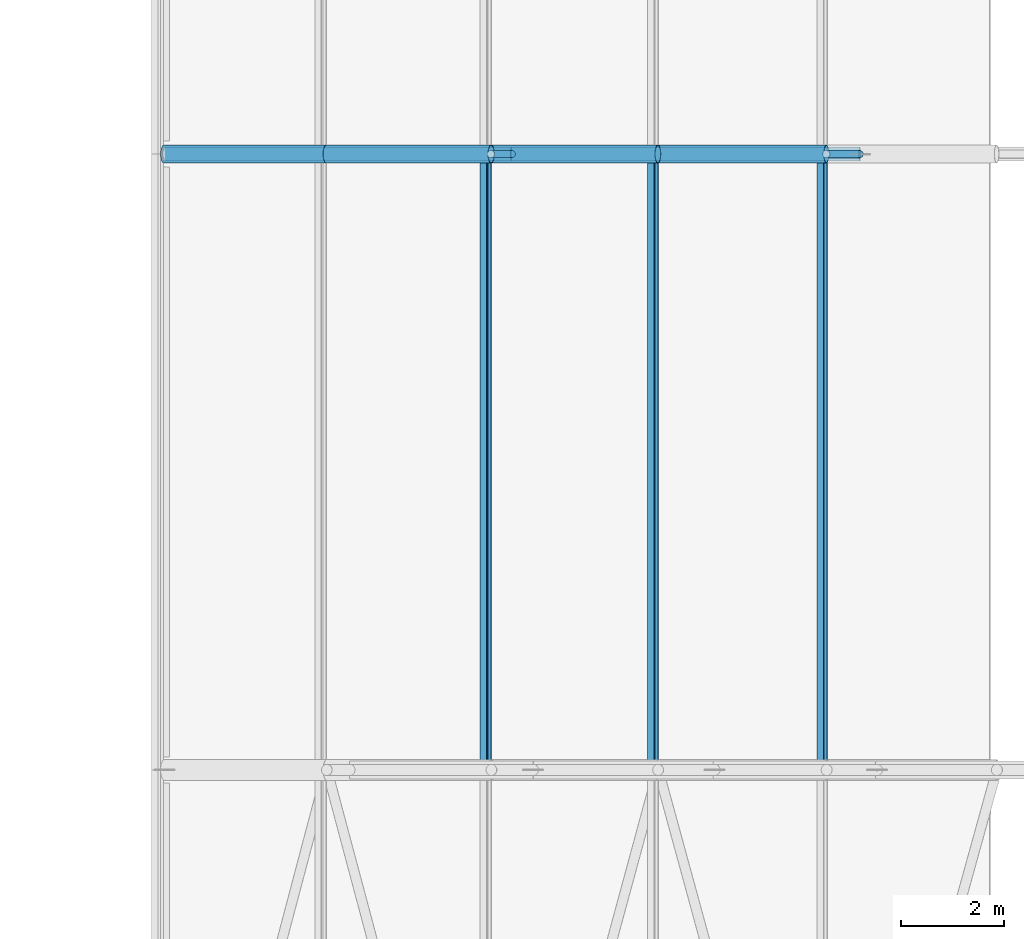
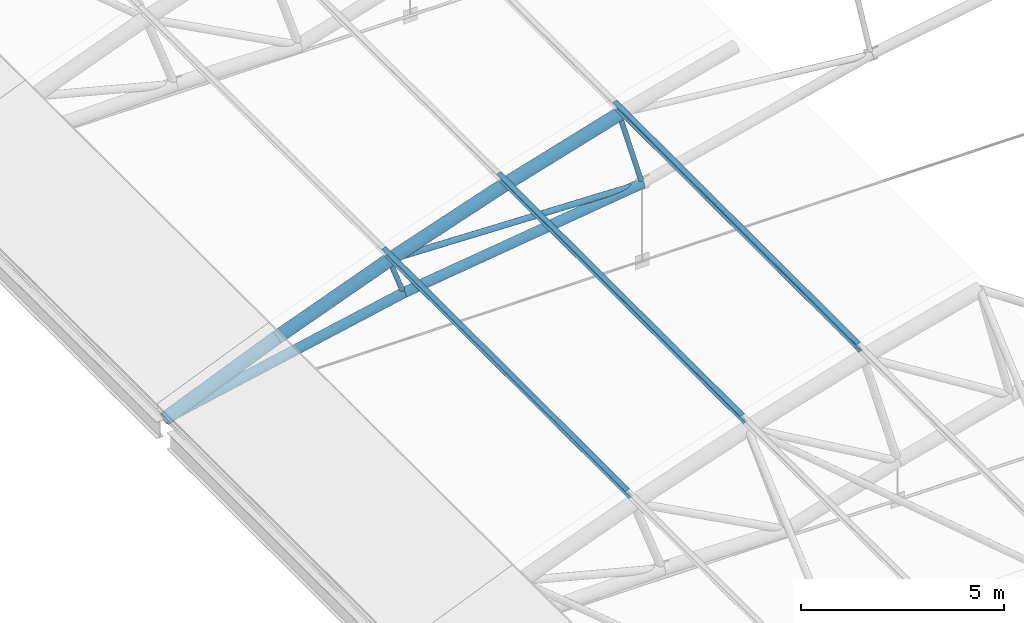
# One storey, part 77 of 321: 12 members.
"""IFC4 building model written with IfcOpenShell, lengths in metres."""

from ifc_helpers import new_model, si_unit, direction, frame, origin, origin_2d, place, context, subcontext, project, spatial, hollow_circle, i_section, extrude, material, material_profile, profile_set, type_object, element, save


model = new_model("IFC4")

# Units and contexts
model_context = context("Model", 3, precision=1e-05, world=origin(), true_north=direction((0.0, 1.0)))
body_context = subcontext(model_context, "Body", "Model", "MODEL_VIEW")
ifc_project = project(units=[si_unit("LENGTHUNIT", "METRE"), si_unit("AREAUNIT", "SQUARE_METRE"), si_unit("VOLUMEUNIT", "CUBIC_METRE"), si_unit("PLANEANGLEUNIT", "RADIAN"), si_unit("MASSUNIT", "GRAM", prefix="KILO")], contexts=[model_context])

# Site, building, storey
site_placement = place(None, origin())
site = spatial("IfcSite", under=ifc_project, at=site_placement, CompositionType="ELEMENT")
building_placement = place(site_placement, origin())
building = spatial("IfcBuilding", under=site, at=building_placement, Name="Ravi Spectrum Wholesale Market", CompositionType="ELEMENT")
storey_placement = place(building_placement, frame((0.0, 0.0, 10.800048828125)))
storey = spatial("IfcBuildingStorey", under=building, at=storey_placement, Name="L02", CompositionType="ELEMENT", Elevation=10.800048828125)

# Members
ifc_material_1 = material(Name="Steel S355", Category="steel")
ifc_material_profile_1 = material_profile(ifc_material_1, hollow_circle(Radius=0.06982421875, WallThickness=0.0048828125, at=origin_2d()))
ifc_profile_set_1 = profile_set([ifc_material_profile_1], Name="Steel S355")
member_type_1 = type_object("IfcMemberType", Name="CHS 139.7x5 post", PredefinedType="POST", material=ifc_profile_set_1)
member_1_placement = place(storey_placement, frame((36.363037109375, 138.0, 2.56494140625), z_axis=(0.338114270461, 0.0, -0.941105063269), x_axis=(0.0, 1.0, 0.0)))
element("IfcMember", 1, at=member_1_placement, inside=storey, type_object=member_type_1, Name="H1-MB-L02-784", PredefinedType="POST", context=body_context, shape_type="SweptSolid", body=[
    extrude(hollow_circle(Radius=0.06982421875, WallThickness=0.0048828125, at=origin_2d()), origin(), (0.0, 0.0, 1.0), 1.199951171875),
])
member_2_placement = place(storey_placement, frame((42.896240234375, 138.0, 4.661376953125), z_axis=(0.272503703517, 0.0, -0.962154733694), x_axis=(0.0, 1.0, 0.0)))
element("IfcMember", 2, at=member_2_placement, inside=storey, type_object=member_type_1, Name="H1-MB-L02-785", PredefinedType="POST", context=body_context, shape_type="SweptSolid", body=[
    extrude(hollow_circle(Radius=0.06982421875, WallThickness=0.0048828125, at=origin_2d()), origin(), (0.0, 0.0, 1.0), 2.400146484375),
])
ifc_material_2 = material(Name="Steel S355", Category="steel")
ifc_material_profile_2 = material_profile(ifc_material_2, hollow_circle(Radius=0.084228515625, WallThickness=0.00634765625, at=origin_2d()))
ifc_profile_set_2 = profile_set([ifc_material_profile_2], Name="Steel S355")
member_type_2 = type_object("IfcMemberType", Name="CHS 168.3x6.3 brace", PredefinedType="BRACE", material=ifc_profile_set_2)
member_3_placement = place(storey_placement, frame((36.363037109375, 138.0, 2.56494140625), z_axis=(0.999561599338, 0.0, -0.029607585673), x_axis=(0.0, 1.0, 0.0)))
element("IfcMember", 3, at=member_3_placement, inside=storey, type_object=member_type_2, Name="H1-MB-L02-795", PredefinedType="BRACE", context=body_context, shape_type="SweptSolid", body=[
    extrude(hollow_circle(Radius=0.084228515625, WallThickness=0.00634765625, at=origin_2d()), origin(), (0.0, 0.0, 1.0), 7.1904296875),
])
ifc_material_3 = material(Name="Steel S355", Category="steel")
ifc_material_profile_3 = material_profile(ifc_material_3, hollow_circle(Radius=0.136474609375, WallThickness=0.010009765625, at=origin_2d()))
ifc_profile_set_3 = profile_set([ifc_material_profile_3], Name="Steel S355")
member_type_3 = type_object("IfcMemberType", Name="CHS 273x10 chord", PredefinedType="CHORD", material=ifc_profile_set_3)
member_4_placement = place(storey_placement, frame((29.98974609375, 138.0, 0.023193359375), z_axis=(0.978978953118, 0.0, 0.203961293758), x_axis=(0.0, 1.0, 0.0)))
element("IfcMember", 4, at=member_4_placement, inside=storey, type_object=member_type_3, Name="H1-MB-L02-772", PredefinedType="CHORD", context=body_context, shape_type="SweptSolid", body=[
    extrude(hollow_circle(Radius=0.136474609375, WallThickness=0.010009765625, at=origin_2d()), origin(), (0.0, 0.0, 1.0), 6.924560546875),
])
member_5_placement = place(storey_placement, frame((36.768798828125, 138.0, 1.435546875), z_axis=(0.990990766788, 0.0, 0.133930206233), x_axis=(0.0, 1.0, 0.0)))
element("IfcMember", 5, at=member_5_placement, inside=storey, type_object=member_type_3, Name="H1-MB-L02-773", PredefinedType="CHORD", context=body_context, shape_type="SweptSolid", body=[
    extrude(hollow_circle(Radius=0.136474609375, WallThickness=0.010009765625, at=origin_2d()), origin(), (0.0, 0.0, 1.0), 6.84326171875),
])
ifc_material_4 = material(Name="Steel S355", Category="steel")
ifc_material_profile_4 = material_profile(ifc_material_4, hollow_circle(Radius=0.177734375, WallThickness=0.012451171875, at=origin_2d()))
ifc_profile_set_4 = profile_set([ifc_material_profile_4], Name="Steel S355")
member_type_4 = type_object("IfcMemberType", Name="CHS 355.6x12.5 chord", PredefinedType="CHORD", material=ifc_profile_set_4)
member_6_placement = place(storey_placement, frame((29.98974609375, 138.0, 0.023193359375), z_axis=(0.922323660423, 0.0, 0.386418251929), x_axis=(0.0, 1.0, 0.0)))
element("IfcMember", 6, at=member_6_placement, inside=storey, type_object=member_type_4, Name="H1-MB-L02-748", PredefinedType="CHORD", context=body_context, shape_type="SweptSolid", body=[
    extrude(hollow_circle(Radius=0.177734375, WallThickness=0.012451171875, at=origin_2d()), origin(), (0.0, 0.0, 1.0), 3.431396484375),
])
for number, where, z_axis, x_axis, name in (
    (7, (33.154541015625, 138.0, 1.34912109375), (0.935113010382, 0.0, 0.354349626518), (0.0, 1.0, 0.0), "H1-MB-L02-749"),
    (8, (36.363037109375, 138.0, 2.56494140625), (0.946773612235, 0.0, 0.321900182005), (0.0, 1.0, 0.0), "H1-MB-L02-750"),
    (9, (39.611572265625, 138.0, 3.66943359375), (0.957299848506, 0.0, 0.289096869666), (0.0, 1.0, 0.0), "H1-MB-L02-751"),
):
    element("IfcMember", number, at=place(storey_placement, frame(where, z_axis=z_axis, x_axis=x_axis)), inside=storey, type_object=member_type_4, Name=name, PredefinedType="CHORD", context=body_context, shape_type="SweptSolid", body=[
        extrude(hollow_circle(Radius=0.177734375, WallThickness=0.012451171875, at=origin_2d()), origin(), (0.0, 0.0, 1.0), 3.43115234375),
    ])
ifc_material_5 = material(Name="Steel S355", Category="steel")
ifc_material_profile_5 = material_profile(ifc_material_5, i_section(OverallWidth=0.135009765625, OverallDepth=0.27001953125, WebThickness=0.006591796875, FlangeThickness=0.01025390625, at=origin_2d()))
ifc_profile_set_5 = profile_set([ifc_material_profile_5], Name="Steel S355")
member_type_5 = type_object("IfcMemberType", Name="IPE 270 purlin", PredefinedType="PURLIN", material=ifc_profile_set_5)
for number, where, z_axis, x_axis, name in (
    (10, (36.25732421875, 126.0, 2.859375), (0.0, 1.0, 0.0), (-0.941079849597, 0.0, -0.338184441811), "H1-MB-L02-1436"),
    (11, (39.515869140625, 126.0, 3.96728515625), (0.0, 1.0, 0.0), (-0.952184497174, 0.0, -0.305523621577), "H1-MB-L02-1437"),
    (12, (42.81103515625, 126.0, 4.962158203125), (0.0, 1.0, 0.0), (-0.96215600485, 0.0, -0.272499215286), "H1-MB-L02-1438"),
):
    element("IfcMember", number, at=place(storey_placement, frame(where, z_axis=z_axis, x_axis=x_axis)), inside=storey, type_object=member_type_5, Name=name, PredefinedType="PURLIN", context=body_context, shape_type="SweptSolid", body=[
        extrude(i_section(OverallWidth=0.135009765625, OverallDepth=0.27001953125, WebThickness=0.006591796875, FlangeThickness=0.01025390625, at=origin_2d()), origin(), (0.0, 0.0, 1.0), 12.0),
    ])

save(model, "model.ifc")
